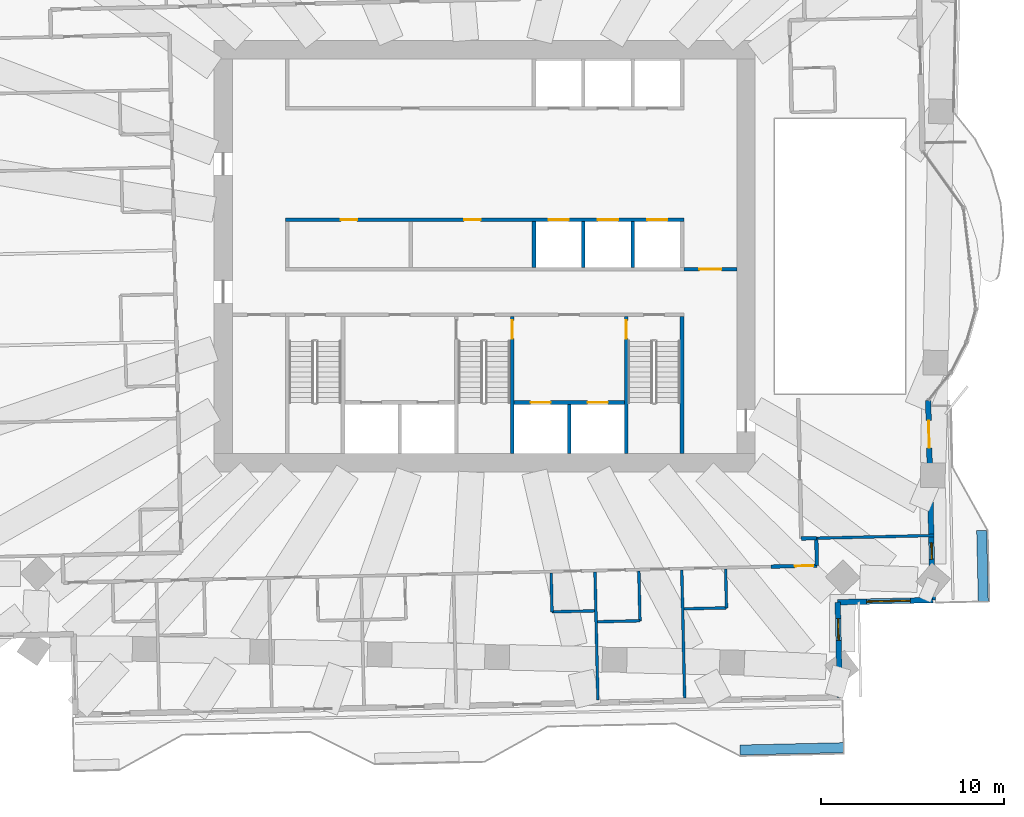
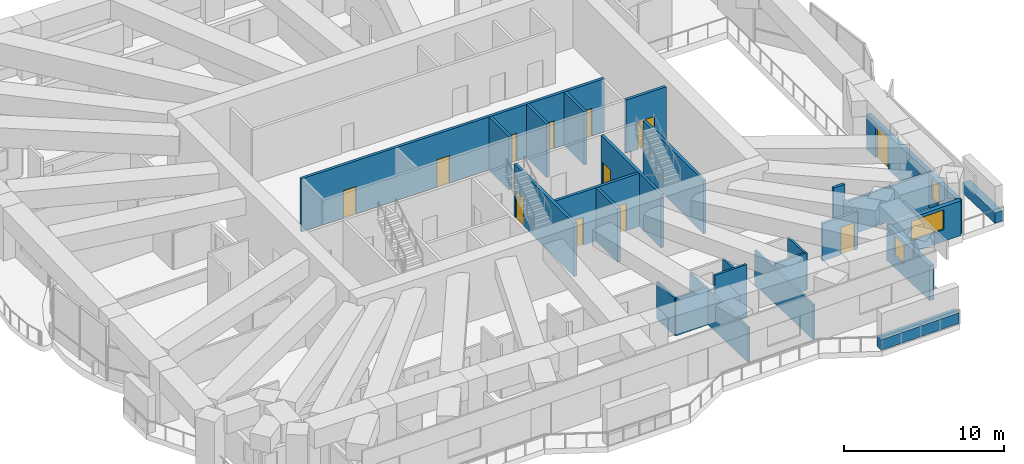
# One storey, part 12 of 21: 27 walls, 12 doors, 3 windows, 15 openings.
"""IFC4 building model written with IfcOpenShell, lengths in metres."""

from ifc_helpers import new_model, si_unit, direction, frame, frame_2d, origin, place, context, subcontext, project, spatial, rectangle, extrude, material, layer, layer_set, type_object, element, fill, save


model = new_model("IFC4")

# Units and contexts
model_context = context("Model", 3, precision=1e-05, world=origin(), true_north=direction((0.0, 1.0)))
body_context = subcontext(model_context, "Body", "Model", "MODEL_VIEW")
ifc_project = project(units=[si_unit("LENGTHUNIT", "METRE"), si_unit("AREAUNIT", "SQUARE_METRE"), si_unit("VOLUMEUNIT", "CUBIC_METRE"), si_unit("PLANEANGLEUNIT", "RADIAN"), si_unit("MASSUNIT", "GRAM", prefix="KILO")], contexts=[model_context])

# Site, building, storey
site_placement = place(None, origin())
site = spatial("IfcSite", under=ifc_project, at=site_placement, CompositionType="ELEMENT")
building_placement = place(site_placement, origin())
building = spatial("IfcBuilding", under=site, at=building_placement, Name="Mangrove Gate Tower", CompositionType="ELEMENT")
storey_placement = place(building_placement, frame((0.0, 0.0, 125.5)))
storey = spatial("IfcBuildingStorey", under=building, at=storey_placement, Name="L31", CompositionType="ELEMENT", Elevation=125.5)

# Wall, opening, door
ifc_material_1 = material(Name="Concrete C32/40", Category="concrete")
ifc_layer_1 = layer(ifc_material_1, 0.199951171875)
ifc_layer_set_1 = layer_set([ifc_layer_1], Name="Core lobby wall 200 C32/40")
wall_type_1 = type_object("IfcWallType", Name="Core lobby wall 200 C32/40", PredefinedType="STANDARD", material=ifc_layer_set_1)
wall_1_placement = place(storey_placement, frame((10.89990234375, -0.699951171875, 0.0), z_axis=(0.0, 0.0, 1.0), x_axis=(1.0, 0.0, 0.0)))
wall_1 = element("IfcWall", 1, at=wall_1_placement, inside=storey, type_object=wall_type_1, Name="WALL-L31-CORE-31", PredefinedType="STANDARD", context=body_context, shape_type="SweptSolid", body=[
    extrude(rectangle(XDim=2.900146484375, YDim=0.199951171875, at=frame_2d((1.4501953125, 0.0))), origin(), (0.0, 0.0, 1.0), 4.050048828125),
])
opening_1_placement = place(wall_1_placement, frame((0.85009765625, 0.0, 0.0)))
opening_1 = element("IfcOpeningElement", 2, at=opening_1_placement, cuts=wall_1, Name="Opening FL12", PredefinedType="OPENING", context=body_context, shape_type="SweptSolid", body=[
    extrude(rectangle(XDim=1.199951171875, YDim=2.10009765625, at=frame_2d((0.60009765625, 1.050048828125))), frame((0.0, 0.10986328125, 0.0), z_axis=(0.0, -1.0, 0.0), x_axis=(1.0, 0.0, 0.0)), (0.0, 0.0, 1.0), 0.219970703125),
])
ifc_material_2 = material(Name="Fire-rated steel door set", Category="steel")
door_type_1 = type_object("IfcDoorType", Name="Lobby door FD60 1200x2100", OperationType="SINGLE_SWING_LEFT", PredefinedType="DOOR", material=ifc_material_2)
door_1_placement = place(opening_1_placement, origin())
door_1 = element("IfcDoor", 3, at=door_1_placement, inside=storey, type_object=door_type_1, Name="Lobby door core corridor E partition", OperationType="SINGLE_SWING_LEFT", OverallHeight=2.10009765625, OverallWidth=1.199951171875, PredefinedType="DOOR", context=body_context, shape_type="SweptSolid", body=[
    extrude(rectangle(XDim=1.199951171875, YDim=2.10009765625, at=frame_2d((0.60009765625, 1.050048828125))), frame((0.0, 0.02490234375, 0.0), z_axis=(0.0, -1.0, 0.0), x_axis=(1.0, 0.0, 0.0)), (0.0, 0.0, 1.0), 0.050048828125),
])
fill(opening_1, door_1)

# Wall, openings, doors
ifc_material_3 = material(Name="Concrete C70/85", Category="concrete")
ifc_layer_2 = layer(ifc_material_3, 0.199951171875)
ifc_layer_set_2 = layer_set([ifc_layer_2], Name="Core shaft wall 200 C70/85")
wall_type_2 = type_object("IfcWallType", Name="Core shaft wall 200 C70/85", PredefinedType="SHEAR", material=ifc_layer_set_2)
wall_2_placement = place(storey_placement, frame((-10.89990234375, 2.0, 0.0), z_axis=(0.0, 0.0, 1.0), x_axis=(1.0, 0.0, 0.0)))
wall_2 = element("IfcWall", 4, at=wall_2_placement, inside=storey, type_object=wall_type_2, Name="WALL-L31-CORE-7", PredefinedType="SHEAR", context=body_context, shape_type="SweptSolid", body=[
    extrude(rectangle(XDim=21.7998046875, YDim=0.199951171875, at=frame_2d((10.89990234375, 0.0))), origin(), (0.0, 0.0, 1.0), 4.050048828125),
])
opening_2_placement = place(wall_2_placement, frame((14.39990234375, 0.0, 0.0)))
opening_2 = element("IfcOpeningElement", 5, at=opening_2_placement, cuts=wall_2, Name="Opening LD", PredefinedType="OPENING", context=body_context, shape_type="SweptSolid", body=[
    extrude(rectangle(XDim=1.10009765625, YDim=2.10009765625, at=frame_2d((0.550048828125, 1.050048828125))), frame((0.0, 0.10986328125, 0.0), z_axis=(0.0, -1.0, 0.0), x_axis=(1.0, 0.0, 0.0)), (0.0, 0.0, 1.0), 0.219970703125),
])
opening_3_placement = place(wall_2_placement, frame((17.10009765625, 0.0, 0.0)))
opening_3 = element("IfcOpeningElement", 6, at=opening_3_placement, cuts=wall_2, Name="Opening LD", PredefinedType="OPENING", context=body_context, shape_type="SweptSolid", body=[
    extrude(rectangle(XDim=1.10009765625, YDim=2.10009765625, at=frame_2d((0.550048828125, 1.050048828125))), frame((0.0, 0.10986328125, 0.0), z_axis=(0.0, -1.0, 0.0), x_axis=(1.0, 0.0, 0.0)), (0.0, 0.0, 1.0), 0.219970703125),
])
opening_4_placement = place(wall_2_placement, frame((19.800048828125, 0.0, 0.0)))
opening_4 = element("IfcOpeningElement", 7, at=opening_4_placement, cuts=wall_2, Name="Opening LD", PredefinedType="OPENING", context=body_context, shape_type="SweptSolid", body=[
    extrude(rectangle(XDim=1.10009765625, YDim=2.10009765625, at=frame_2d((0.550048828125, 1.050048828125))), frame((0.0, 0.10986328125, 0.0), z_axis=(0.0, -1.0, 0.0), x_axis=(1.0, 0.0, 0.0)), (0.0, 0.0, 1.0), 0.219970703125),
])
opening_5_placement = place(wall_2_placement, frame((3.02490234375, 0.0, 0.0)))
opening_5 = element("IfcOpeningElement", 8, at=opening_5_placement, cuts=wall_2, Name="Opening KD", PredefinedType="OPENING", context=body_context, shape_type="SweptSolid", body=[
    extrude(rectangle(XDim=0.89990234375, YDim=2.10009765625, at=frame_2d((0.449951171875, 1.050048828125))), frame((0.0, 0.10986328125, 0.0), z_axis=(0.0, -1.0, 0.0), x_axis=(1.0, 0.0, 0.0)), (0.0, 0.0, 1.0), 0.219970703125),
])
opening_6_placement = place(wall_2_placement, frame((9.77490234375, 0.0, 0.0)))
opening_6 = element("IfcOpeningElement", 9, at=opening_6_placement, cuts=wall_2, Name="Opening RD", PredefinedType="OPENING", context=body_context, shape_type="SweptSolid", body=[
    extrude(rectangle(XDim=0.89990234375, YDim=2.10009765625, at=frame_2d((0.449951171875, 1.050048828125))), frame((0.0, 0.10986328125, 0.0), z_axis=(0.0, -1.0, 0.0), x_axis=(1.0, 0.0, 0.0)), (0.0, 0.0, 1.0), 0.219970703125),
])
ifc_material_4 = material(Name="Fire-rated steel door set", Category="steel")
door_type_2 = type_object("IfcDoorType", Name="Core room door FD30S 900x2100", OperationType="SINGLE_SWING_RIGHT", PredefinedType="DOOR", material=ifc_material_4)
door_2_placement = place(opening_5_placement, origin())
door_2 = element("IfcDoor", 10, at=door_2_placement, inside=storey, type_object=door_type_2, Name="Core room door Linen store", OperationType="SINGLE_SWING_RIGHT", OverallHeight=2.10009765625, OverallWidth=0.89990234375, PredefinedType="DOOR", context=body_context, shape_type="SweptSolid", body=[
    extrude(rectangle(XDim=0.89990234375, YDim=2.10009765625, at=frame_2d((0.449951171875, 1.050048828125))), frame((0.0, 0.02490234375, 0.0), z_axis=(0.0, -1.0, 0.0), x_axis=(1.0, 0.0, 0.0)), (0.0, 0.0, 1.0), 0.050048828125),
])
fill(opening_5, door_2)
ifc_material_5 = material(Name="Stainless steel 316", Category="steel")
door_type_3 = type_object("IfcDoorType", Name="Lift landing door 1100x2100", OperationType="SLIDING_TO_LEFT", PredefinedType="DOOR", material=ifc_material_5)
door_3_placement = place(opening_2_placement, origin())
door_3 = element("IfcDoor", 11, at=door_3_placement, inside=storey, type_object=door_type_3, Name="Landing door LD M01", OperationType="SLIDING_TO_LEFT", OverallHeight=2.10009765625, OverallWidth=1.10009765625, PredefinedType="DOOR", context=body_context, shape_type="SweptSolid", body=[
    extrude(rectangle(XDim=1.10009765625, YDim=2.10009765625, at=frame_2d((0.550048828125, 1.050048828125))), frame((0.0, 0.02490234375, 0.0), z_axis=(0.0, -1.0, 0.0), x_axis=(1.0, 0.0, 0.0)), (0.0, 0.0, 1.0), 0.050048828125),
])
fill(opening_2, door_3)
door_4_placement = place(opening_3_placement, origin())
door_4 = element("IfcDoor", 12, at=door_4_placement, inside=storey, type_object=door_type_3, Name="Landing door LD M02", OperationType="SLIDING_TO_LEFT", OverallHeight=2.10009765625, OverallWidth=1.10009765625, PredefinedType="DOOR", context=body_context, shape_type="SweptSolid", body=[
    extrude(rectangle(XDim=1.10009765625, YDim=2.10009765625, at=frame_2d((0.550048828125, 1.050048828125))), frame((0.0, 0.02490234375, 0.0), z_axis=(0.0, -1.0, 0.0), x_axis=(1.0, 0.0, 0.0)), (0.0, 0.0, 1.0), 0.050048828125),
])
fill(opening_3, door_4)
door_5_placement = place(opening_4_placement, origin())
door_5 = element("IfcDoor", 13, at=door_5_placement, inside=storey, type_object=door_type_3, Name="Landing door LD M03", OperationType="SLIDING_TO_LEFT", OverallHeight=2.10009765625, OverallWidth=1.10009765625, PredefinedType="DOOR", context=body_context, shape_type="SweptSolid", body=[
    extrude(rectangle(XDim=1.10009765625, YDim=2.10009765625, at=frame_2d((0.550048828125, 1.050048828125))), frame((0.0, 0.02490234375, 0.0), z_axis=(0.0, -1.0, 0.0), x_axis=(1.0, 0.0, 0.0)), (0.0, 0.0, 1.0), 0.050048828125),
])
fill(opening_4, door_5)
ifc_material_6 = material(Name="Fire-rated steel door set", Category="steel")
door_type_4 = type_object("IfcDoorType", Name="Riser door FD30S 900x2100", OperationType="SINGLE_SWING_LEFT", PredefinedType="DOOR", material=ifc_material_6)
door_6_placement = place(opening_6_placement, origin())
door_6 = element("IfcDoor", 14, at=door_6_placement, inside=storey, type_object=door_type_4, Name="Riser door Switch room", OperationType="SINGLE_SWING_LEFT", OverallHeight=2.10009765625, OverallWidth=0.89990234375, PredefinedType="DOOR", context=body_context, shape_type="SweptSolid", body=[
    extrude(rectangle(XDim=0.89990234375, YDim=2.10009765625, at=frame_2d((0.449951171875, 1.050048828125))), frame((0.0, 0.02490234375, 0.0), z_axis=(0.0, -1.0, 0.0), x_axis=(1.0, 0.0, 0.0)), (0.0, 0.0, 1.0), 0.050048828125),
])
fill(opening_6, door_6)

wall_3_placement = place(storey_placement, frame((1.60009765625, -8.0, 0.0), z_axis=(0.0, 0.0, 1.0), x_axis=(1.0, 0.0, 0.0)))
wall_3 = element("IfcWall", 15, at=wall_3_placement, inside=storey, type_object=wall_type_2, Name="WALL-L31-CORE-17", PredefinedType="SHEAR", context=body_context, shape_type="SweptSolid", body=[
    extrude(rectangle(XDim=6.0498046875, YDim=0.199951171875, at=frame_2d((3.02490234375, 0.0))), origin(), (0.0, 0.0, 1.0), 4.050048828125),
])
opening_7_placement = place(wall_3_placement, frame((0.91259765625, 0.0, 0.0)))
opening_7 = element("IfcOpeningElement", 16, at=opening_7_placement, cuts=wall_3, Name="Opening LD", PredefinedType="OPENING", context=body_context, shape_type="SweptSolid", body=[
    extrude(rectangle(XDim=1.10009765625, YDim=2.10009765625, at=frame_2d((0.550048828125, 1.050048828125))), frame((0.0, 0.10986328125, 0.0), z_axis=(0.0, -1.0, 0.0), x_axis=(1.0, 0.0, 0.0)), (0.0, 0.0, 1.0), 0.219970703125),
])
opening_8_placement = place(wall_3_placement, frame((4.03759765625, 0.0, 0.0)))
opening_8 = element("IfcOpeningElement", 17, at=opening_8_placement, cuts=wall_3, Name="Opening LD", PredefinedType="OPENING", context=body_context, shape_type="SweptSolid", body=[
    extrude(rectangle(XDim=1.10009765625, YDim=2.10009765625, at=frame_2d((0.550048828125, 1.050048828125))), frame((0.0, 0.10986328125, 0.0), z_axis=(0.0, -1.0, 0.0), x_axis=(1.0, 0.0, 0.0)), (0.0, 0.0, 1.0), 0.219970703125),
])
door_7_placement = place(opening_7_placement, origin())
door_7 = element("IfcDoor", 18, at=door_7_placement, inside=storey, type_object=door_type_3, Name="Landing door LD FFL1", OperationType="SLIDING_TO_LEFT", OverallHeight=2.10009765625, OverallWidth=1.10009765625, PredefinedType="DOOR", context=body_context, shape_type="SweptSolid", body=[
    extrude(rectangle(XDim=1.10009765625, YDim=2.10009765625, at=frame_2d((0.550048828125, 1.050048828125))), frame((0.0, 0.02490234375, 0.0), z_axis=(0.0, -1.0, 0.0), x_axis=(1.0, 0.0, 0.0)), (0.0, 0.0, 1.0), 0.050048828125),
])
fill(opening_7, door_7)
door_8_placement = place(opening_8_placement, origin())
door_8 = element("IfcDoor", 19, at=door_8_placement, inside=storey, type_object=door_type_3, Name="Landing door LD FFL2", OperationType="SLIDING_TO_LEFT", OverallHeight=2.10009765625, OverallWidth=1.10009765625, PredefinedType="DOOR", context=body_context, shape_type="SweptSolid", body=[
    extrude(rectangle(XDim=1.10009765625, YDim=2.10009765625, at=frame_2d((0.550048828125, 1.050048828125))), frame((0.0, 0.02490234375, 0.0), z_axis=(0.0, -1.0, 0.0), x_axis=(1.0, 0.0, 0.0)), (0.0, 0.0, 1.0), 0.050048828125),
])
fill(opening_8, door_8)

# Walls
wall_4_placement = place(storey_placement, frame((4.625, -10.800048828125, 0.0), z_axis=(0.0, 0.0, 1.0), x_axis=(0.0, 1.0, 0.0)))
element("IfcWall", 20, at=wall_4_placement, inside=storey, type_object=wall_type_2, Name="WALL-L31-CORE-18", PredefinedType="SHEAR", context=body_context, shape_type="SweptSolid", body=[
    extrude(rectangle(XDim=2.699951171875, YDim=0.199951171875, at=frame_2d((1.35009765625, 0.0))), origin(), (0.0, 0.0, 1.0), 4.050048828125),
])
for number, where, z_axis, x_axis, name in (
    (21, (2.699951171875, -0.60009765625, 0.0), (0.0, 0.0, 1.0), (0.0, 1.0, 0.0), "WALL-L31-CORE-21"),
    (22, (5.39990234375, -0.60009765625, 0.0), (0.0, 0.0, 1.0), (0.0, 1.0, 0.0), "WALL-L31-CORE-22"),
    (23, (8.10009765625, -0.60009765625, 0.0), (0.0, 0.0, 1.0), (0.0, 1.0, 0.0), "WALL-L31-CORE-23"),
):
    element("IfcWall", number, at=place(storey_placement, frame(where, z_axis=z_axis, x_axis=x_axis)), inside=storey, type_object=wall_type_2, Name=name, PredefinedType="SHEAR", context=body_context, shape_type="SweptSolid", body=[
        extrude(rectangle(XDim=2.5, YDim=0.199951171875, at=frame_2d((1.25, 0.0))), origin(), (0.0, 0.0, 1.0), 4.050048828125),
    ])

# Wall, opening, door
ifc_material_7 = material(Name="Concrete C70/85", Category="concrete")
ifc_layer_3 = layer(ifc_material_7, 0.199951171875)
ifc_layer_set_3 = layer_set([ifc_layer_3], Name="Core stair wall 200 C70/85")
wall_type_3 = type_object("IfcWallType", Name="Core stair wall 200 C70/85", PredefinedType="SHEAR", material=ifc_layer_set_3)
wall_5_placement = place(storey_placement, frame((1.5, -10.800048828125, 0.0), z_axis=(0.0, 0.0, 1.0), x_axis=(0.0, 1.0, 0.0)))
wall_5 = element("IfcWall", 24, at=wall_5_placement, inside=storey, type_object=wall_type_3, Name="WALL-L31-CORE-12", PredefinedType="SHEAR", context=body_context, shape_type="SweptSolid", body=[
    extrude(rectangle(XDim=7.5, YDim=0.199951171875, at=frame_2d((3.75, 0.0))), origin(), (0.0, 0.0, 1.0), 4.050048828125),
])
opening_9_placement = place(wall_5_placement, frame((6.300048828125, 0.0, 0.0)))
opening_9 = element("IfcOpeningElement", 25, at=opening_9_placement, cuts=wall_5, Name="Opening STD10", PredefinedType="OPENING", context=body_context, shape_type="SweptSolid", body=[
    extrude(rectangle(XDim=1.0, YDim=2.10009765625, at=frame_2d((0.5, 1.050048828125))), frame((0.0, 0.10986328125, 0.0), z_axis=(0.0, -1.0, 0.0), x_axis=(1.0, 0.0, 0.0)), (0.0, 0.0, 1.0), 0.219970703125),
])
ifc_material_8 = material(Name="Fire-rated steel door set", Category="steel")
door_type_5 = type_object("IfcDoorType", Name="Stair door FD60 1000x2100", OperationType="SINGLE_SWING_RIGHT", PredefinedType="DOOR", material=ifc_material_8)
door_9_placement = place(opening_9_placement, origin())
door_9 = element("IfcDoor", 26, at=door_9_placement, inside=storey, type_object=door_type_5, Name="Stair door Stair 2 from fire-fighting lobby", OperationType="SINGLE_SWING_RIGHT", OverallHeight=2.10009765625, OverallWidth=1.0, PredefinedType="DOOR", context=body_context, shape_type="SweptSolid", body=[
    extrude(rectangle(XDim=1.0, YDim=2.10009765625, at=frame_2d((0.5, 1.050048828125))), frame((0.0, 0.02490234375, 0.0), z_axis=(0.0, -1.0, 0.0), x_axis=(1.0, 0.0, 0.0)), (0.0, 0.0, 1.0), 0.050048828125),
])
fill(opening_9, door_9)

wall_6_placement = place(storey_placement, frame((7.75, -10.800048828125, 0.0), z_axis=(0.0, 0.0, 1.0), x_axis=(0.0, 1.0, 0.0)))
wall_6 = element("IfcWall", 27, at=wall_6_placement, inside=storey, type_object=wall_type_3, Name="WALL-L31-CORE-13", PredefinedType="SHEAR", context=body_context, shape_type="SweptSolid", body=[
    extrude(rectangle(XDim=7.5, YDim=0.199951171875, at=frame_2d((3.75, 0.0))), origin(), (0.0, 0.0, 1.0), 4.050048828125),
])
opening_10_placement = place(wall_6_placement, frame((6.300048828125, 0.0, 0.0)))
opening_10 = element("IfcOpeningElement", 28, at=opening_10_placement, cuts=wall_6, Name="Opening STD10", PredefinedType="OPENING", context=body_context, shape_type="SweptSolid", body=[
    extrude(rectangle(XDim=1.0, YDim=2.10009765625, at=frame_2d((0.5, 1.050048828125))), frame((0.0, 0.10986328125, 0.0), z_axis=(0.0, -1.0, 0.0), x_axis=(1.0, 0.0, 0.0)), (0.0, 0.0, 1.0), 0.219970703125),
])
door_10_placement = place(opening_10_placement, origin())
door_10 = element("IfcDoor", 29, at=door_10_placement, inside=storey, type_object=door_type_5, Name="Stair door Stair 3 from fire-fighting lobby", OperationType="SINGLE_SWING_RIGHT", OverallHeight=2.10009765625, OverallWidth=1.0, PredefinedType="DOOR", context=body_context, shape_type="SweptSolid", body=[
    extrude(rectangle(XDim=1.0, YDim=2.10009765625, at=frame_2d((0.5, 1.050048828125))), frame((0.0, 0.02490234375, 0.0), z_axis=(0.0, -1.0, 0.0), x_axis=(1.0, 0.0, 0.0)), (0.0, 0.0, 1.0), 0.050048828125),
])
fill(opening_10, door_10)

# Walls
wall_7_placement = place(storey_placement, frame((10.800048828125, -10.800048828125, 0.0), z_axis=(0.0, 0.0, 1.0), x_axis=(0.0, 1.0, 0.0)))
element("IfcWall", 30, at=wall_7_placement, inside=storey, type_object=wall_type_3, Name="WALL-L31-CORE-14", PredefinedType="SHEAR", context=body_context, shape_type="SweptSolid", body=[
    extrude(rectangle(XDim=7.5, YDim=0.199951171875, at=frame_2d((3.75, 0.0))), origin(), (0.0, 0.0, 1.0), 4.050048828125),
])
ifc_material_9 = material(Name="Gypsum board on steel stud, EI 60", Category="steel")
ifc_layer_4 = layer(ifc_material_9, 0.199951171875)
ifc_layer_set_4 = layer_set([ifc_layer_4], Name="Corridor wall EI 60")
wall_type_4 = type_object("IfcWallType", Name="Corridor wall EI 60", PredefinedType="PARTITIONING", material=ifc_layer_set_4)
wall_8_placement = place(storey_placement, frame((18.181884765625, -16.928955078125, 0.0), z_axis=(0.0, 0.0, 1.0), x_axis=(-0.022632637625, 0.99974384905, 0.0)))
element("IfcWall", 31, at=wall_8_placement, inside=storey, type_object=wall_type_4, Name="WALL-L31-021", PredefinedType="PARTITIONING", context=body_context, shape_type="SweptSolid", body=[
    extrude(rectangle(XDim=1.49951171875, YDim=0.199951171875, at=frame_2d((0.749755859375, 0.0))), origin(), (0.0, 0.0, 1.0), 2.85009765625),
])

# Wall, opening, door
wall_9_placement = place(storey_placement, frame((15.657958984375, -16.98193359375, 0.0), z_axis=(0.0, 0.0, 1.0), x_axis=(0.9997461113, 0.022532486354, 0.0)))
wall_9 = element("IfcWall", 32, at=wall_9_placement, inside=storey, type_object=wall_type_4, Name="WALL-L31-024", PredefinedType="PARTITIONING", context=body_context, shape_type="SweptSolid", body=[
    extrude(rectangle(XDim=2.524658203125, YDim=0.199951171875, at=frame_2d((1.26220703125, 0.0))), origin(), (0.0, 0.0, 1.0), 2.85009765625),
])
opening_11_placement = place(wall_9_placement, frame((1.323974609375, 0.0, 0.0)))
opening_11 = element("IfcOpeningElement", 33, at=opening_11_placement, cuts=wall_9, Name="Opening AD", PredefinedType="OPENING", context=body_context, shape_type="SweptSolid", body=[
    extrude(rectangle(XDim=1.0, YDim=2.10009765625, at=frame_2d((0.5, 1.050048828125))), frame((0.0, 0.10986328125, 0.0), z_axis=(0.0, -1.0, 0.0), x_axis=(1.0, 0.0, 0.0)), (0.0, 0.0, 1.0), 0.219970703125),
])
ifc_material_10 = material(Name="Timber door leaf", Category="wood")
door_type_6 = type_object("IfcDoorType", Name="Amenity door 1000", OperationType="SINGLE_SWING_LEFT", PredefinedType="DOOR", material=ifc_material_10)
door_11_placement = place(opening_11_placement, origin())
door_11 = element("IfcDoor", 34, at=door_11_placement, inside=storey, type_object=door_type_6, Name="DOOR-L31-LNG-c3a", OperationType="SINGLE_SWING_LEFT", OverallHeight=2.10009765625, OverallWidth=1.0, PredefinedType="DOOR", context=body_context, shape_type="SweptSolid", body=[
    extrude(rectangle(XDim=1.0, YDim=2.10009765625, at=frame_2d((0.5, 1.050048828125))), frame((0.0, 0.02490234375, 0.0), z_axis=(0.0, -1.0, 0.0), x_axis=(1.0, 0.0, 0.0)), (0.0, 0.0, 1.0), 0.050048828125),
])
fill(opening_11, door_11)

# Wall
wall_10_placement = place(storey_placement, frame((17.322998046875, -15.444091796875, 0.0), z_axis=(0.0, 0.0, 1.0), x_axis=(0.999760281873, 0.021894720586, 0.0)))
element("IfcWall", 35, at=wall_10_placement, inside=storey, type_object=wall_type_4, Name="WALL-L31-030", PredefinedType="PARTITIONING", context=body_context, shape_type="SweptSolid", body=[
    extrude(rectangle(XDim=0.8251953125, YDim=0.199951171875, at=frame_2d((0.41259765625, 0.0))), origin(), (0.0, 0.0, 1.0), 4.050048828125),
])

# Wall, openings, door, window
ifc_material_11 = material(Name="Limestone", Category="masonry")
ifc_layer_5 = layer(ifc_material_11, 0.0400390625, Name="Limestone cladding")
ifc_material_12 = material(Name="Ventilated air gap")
ifc_layer_6 = layer(ifc_material_12, 0.0400390625, Name="Ventilated cavity")
ifc_material_13 = material(Name="Mineral wool insulation")
ifc_layer_7 = layer(ifc_material_13, 0.06005859375, Name="Insulation")
ifc_material_14 = material(Name="Breather membrane")
ifc_layer_8 = layer(ifc_material_14, 0.001953125, Name="Breather membrane")
ifc_material_15 = material(Name="Concrete C20/25 blockwork", Category="masonry")
ifc_layer_9 = layer(ifc_material_15, 0.14990234375, Name="Blockwork backing wall")
ifc_material_16 = material(Name="Gypsum plaster")
ifc_layer_10 = layer(ifc_material_16, 0.008056640625, Name="Internal plaster")
ifc_layer_set_5 = layer_set([ifc_layer_5, ifc_layer_6, ifc_layer_7, ifc_layer_8, ifc_layer_9, ifc_layer_10], Name="External wall 300 limestone cladding")
wall_type_5 = type_object("IfcWallType", Name="External wall 300 limestone cladding", PredefinedType="SOLIDWALL", material=ifc_layer_set_5)
wall_11_placement = place(storey_placement, frame((24.51806640625, -18.81201171875, 0.0), z_axis=(0.0, 0.0, 1.0), x_axis=(-0.02269451316, 0.999742446369, 0.0)))
wall_11 = element("IfcWall", 36, at=wall_11_placement, inside=storey, type_object=wall_type_5, Name="WALL-L31-E0", PredefinedType="SOLIDWALL", context=body_context, shape_type="SweptSolid", body=[
    extrude(rectangle(XDim=10.929931640625, YDim=0.300048828125, at=frame_2d((5.46484375, 0.0))), origin(), (0.0, 0.0, 1.0), 2.64990234375),
])
opening_12_placement = place(wall_11_placement, frame((2.23388671875, 0.0, 0.89990234375)))
opening_12 = element("IfcOpeningElement", 37, at=opening_12_placement, cuts=wall_11, Name="Opening W5", PredefinedType="OPENING", context=body_context, shape_type="SweptSolid", body=[
    extrude(rectangle(XDim=0.89990234375, YDim=1.5, at=frame_2d((0.449951171875, 0.75))), frame((0.0, 0.159912109375, 0.0), z_axis=(0.0, -1.0, 0.0), x_axis=(1.0, 0.0, 0.0)), (0.0, 0.0, 1.0), 0.320068359375),
])
opening_13_placement = place(wall_11_placement, frame((8.327880859375, 0.0, 0.0)))
opening_13 = element("IfcOpeningElement", 38, at=opening_13_placement, cuts=wall_11, Name="Opening BD1", PredefinedType="OPENING", context=body_context, shape_type="SweptSolid", body=[
    extrude(rectangle(XDim=1.5, YDim=2.39990234375, at=frame_2d((0.75, 1.199951171875))), frame((0.0, 0.159912109375, 0.0), z_axis=(0.0, -1.0, 0.0), x_axis=(1.0, 0.0, 0.0)), (0.0, 0.0, 1.0), 0.320068359375),
])
ifc_material_17 = material(Name="Aluminium frame with laminated clear glass", Category="aluminium")
door_type_7 = type_object("IfcDoorType", Name="Balcony sliding door 1500x2400", OperationType="SLIDING_TO_LEFT", PredefinedType="DOOR", material=ifc_material_17)
door_12_placement = place(opening_13_placement, origin())
door_12 = element("IfcDoor", 39, at=door_12_placement, inside=storey, type_object=door_type_7, Name="DOOR-L31-E0-2", OperationType="SLIDING_TO_LEFT", OverallHeight=2.39990234375, OverallWidth=1.5, PredefinedType="DOOR", context=body_context, shape_type="SweptSolid", body=[
    extrude(rectangle(XDim=1.5, YDim=2.39990234375, at=frame_2d((0.75, 1.199951171875))), frame((0.0, 0.02490234375, 0.0), z_axis=(0.0, -1.0, 0.0), x_axis=(1.0, 0.0, 0.0)), (0.0, 0.0, 1.0), 0.050048828125),
])
fill(opening_13, door_12)
ifc_material_18 = material(Name="Aluminium frame with double-glazed low-e glass", Category="aluminium")
window_type_1 = type_object("IfcWindowType", Name="Narrow window 900x1500", PartitioningType="SINGLE_PANEL", PredefinedType="WINDOW", material=ifc_material_18)
window_1_placement = place(opening_12_placement, origin())
window_1 = element("IfcWindow", 40, at=window_1_placement, inside=storey, type_object=window_type_1, Name="WIN-L31-E0-1", OverallHeight=1.5, OverallWidth=0.89990234375, PartitioningType="SINGLE_PANEL", PredefinedType="WINDOW", context=body_context, shape_type="SweptSolid", body=[
    extrude(rectangle(XDim=0.89990234375, YDim=1.5, at=frame_2d((0.449951171875, 0.75))), frame((0.0, 0.030029296875, 0.0), z_axis=(0.0, -1.0, 0.0), x_axis=(1.0, 0.0, 0.0)), (0.0, 0.0, 1.0), 0.06005859375),
])
fill(opening_12, window_1)

# Wall, opening, window
wall_12_placement = place(storey_placement, frame((19.43701171875, -24.12890625, 0.0), z_axis=(0.0, 0.0, 1.0), x_axis=(-0.022675548694, 0.99974287669, 0.0)))
wall_12 = element("IfcWall", 41, at=wall_12_placement, inside=storey, type_object=wall_type_5, Name="WALL-L31-E14", PredefinedType="SOLIDWALL", context=body_context, shape_type="SweptSolid", body=[
    extrude(rectangle(XDim=5.2001953125, YDim=0.300048828125, at=frame_2d((2.60009765625, 0.0))), origin(), (0.0, 0.0, 1.0), 2.64990234375),
])
opening_14_placement = place(wall_12_placement, frame((3.10693359375, 0.0, 0.89990234375)))
opening_14 = element("IfcOpeningElement", 42, at=opening_14_placement, cuts=wall_12, Name="Opening W1", PredefinedType="OPENING", context=body_context, shape_type="SweptSolid", body=[
    extrude(rectangle(XDim=1.199951171875, YDim=1.5, at=frame_2d((0.60009765625, 0.75))), frame((0.0, 0.159912109375, 0.0), z_axis=(0.0, -1.0, 0.0), x_axis=(1.0, 0.0, 0.0)), (0.0, 0.0, 1.0), 0.320068359375),
])
ifc_material_19 = material(Name="Aluminium frame with double-glazed low-e glass", Category="aluminium")
window_type_2 = type_object("IfcWindowType", Name="Side lite 1200x1500", PartitioningType="SINGLE_PANEL", PredefinedType="WINDOW", material=ifc_material_19)
window_2_placement = place(opening_14_placement, origin())
window_2 = element("IfcWindow", 43, at=window_2_placement, inside=storey, type_object=window_type_2, Name="WIN-L31-E14-1", OverallHeight=1.5, OverallWidth=1.199951171875, PartitioningType="SINGLE_PANEL", PredefinedType="WINDOW", context=body_context, shape_type="SweptSolid", body=[
    extrude(rectangle(XDim=1.199951171875, YDim=1.5, at=frame_2d((0.60009765625, 0.75))), frame((0.0, 0.030029296875, 0.0), z_axis=(0.0, -1.0, 0.0), x_axis=(1.0, 0.0, 0.0)), (0.0, 0.0, 1.0), 0.06005859375),
])
fill(opening_14, window_2)

wall_13_placement = place(storey_placement, frame((19.319091796875, -18.929931640625, 0.0), z_axis=(0.0, 0.0, 1.0), x_axis=(0.99974287669, 0.022675548694, 0.0)))
wall_13 = element("IfcWall", 44, at=wall_13_placement, inside=storey, type_object=wall_type_5, Name="WALL-L31-S15", PredefinedType="SOLIDWALL", context=body_context, shape_type="SweptSolid", body=[
    extrude(rectangle(XDim=5.2001953125, YDim=0.300048828125, at=frame_2d((2.60009765625, 0.0))), origin(), (0.0, 0.0, 1.0), 2.64990234375),
])
opening_15_placement = place(wall_13_placement, frame((1.5810546875, 0.0, 0.89990234375)))
opening_15 = element("IfcOpeningElement", 45, at=opening_15_placement, cuts=wall_13, Name="Opening W2", PredefinedType="OPENING", context=body_context, shape_type="SweptSolid", body=[
    extrude(rectangle(XDim=2.39990234375, YDim=1.5, at=frame_2d((1.199951171875, 0.75))), frame((0.0, 0.159912109375, 0.0), z_axis=(0.0, -1.0, 0.0), x_axis=(1.0, 0.0, 0.0)), (0.0, 0.0, 1.0), 0.320068359375),
])
ifc_material_20 = material(Name="Aluminium frame with double-glazed low-e glass", Category="aluminium")
window_type_3 = type_object("IfcWindowType", Name="Corner room window 2400x1500", PartitioningType="DOUBLE_PANEL_VERTICAL", PredefinedType="WINDOW", material=ifc_material_20)
window_3_placement = place(opening_15_placement, origin())
window_3 = element("IfcWindow", 46, at=window_3_placement, inside=storey, type_object=window_type_3, Name="WIN-L31-S15-1", OverallHeight=1.5, OverallWidth=2.39990234375, PartitioningType="DOUBLE_PANEL_VERTICAL", PredefinedType="WINDOW", context=body_context, shape_type="SweptSolid", body=[
    extrude(rectangle(XDim=2.39990234375, YDim=1.5, at=frame_2d((1.199951171875, 0.75))), frame((0.0, 0.030029296875, 0.0), z_axis=(0.0, -1.0, 0.0), x_axis=(1.0, 0.0, 0.0)), (0.0, 0.0, 1.0), 0.06005859375),
])
fill(opening_15, window_3)

# Walls
ifc_material_21 = material(Name="Gypsum board on steel stud, EI 60", Category="steel")
ifc_layer_11 = layer(ifc_material_21, 0.14990234375)
ifc_layer_set_6 = layer_set([ifc_layer_11], Name="Party wall 150 EI 60")
wall_type_6 = type_object("IfcWallType", Name="Party wall 150 EI 60", PredefinedType="PARTITIONING", material=ifc_layer_set_6)
wall_14_placement = place(storey_placement, frame((6.195068359375, -24.279052734375, 0.0), z_axis=(0.0, 0.0, 1.0), x_axis=(-0.022562972274, 0.999745423737, 0.0)))
element("IfcWall", 47, at=wall_14_placement, inside=storey, type_object=wall_type_6, Name="WALL-L31-005", PredefinedType="PARTITIONING", context=body_context, shape_type="SweptSolid", body=[
    extrude(rectangle(XDim=7.000732421875, YDim=0.14990234375, at=frame_2d((3.50048828125, 0.0))), origin(), (0.0, 0.0, 1.0), 2.64990234375),
])
wall_15_placement = place(storey_placement, frame((10.944091796875, -24.172119140625, 0.0), z_axis=(0.0, 0.0, 1.0), x_axis=(-0.022734078158, 0.999741547446, 0.0)))
element("IfcWall", 48, at=wall_15_placement, inside=storey, type_object=wall_type_6, Name="WALL-L31-006", PredefinedType="PARTITIONING", context=body_context, shape_type="SweptSolid", body=[
    extrude(rectangle(XDim=7.001708984375, YDim=0.14990234375, at=frame_2d((3.5009765625, 0.0))), origin(), (0.0, 0.0, 1.0), 2.64990234375),
])
wall_16_placement = place(storey_placement, frame((8.498046875, -19.949951171875, 0.0), z_axis=(0.0, 0.0, 1.0), x_axis=(-0.022751926344, 0.99974114142, 0.0)))
element("IfcWall", 49, at=wall_16_placement, inside=storey, type_object=wall_type_6, Name="WALL-L31-009", PredefinedType="PARTITIONING", context=body_context, shape_type="SweptSolid", body=[
    extrude(rectangle(XDim=2.7255859375, YDim=0.14990234375, at=frame_2d((1.36279296875, 0.0))), origin(), (0.0, 0.0, 1.0), 2.85009765625),
])
wall_17_placement = place(storey_placement, frame((6.1708984375, -19.998046875, 0.0), z_axis=(0.0, 0.0, 1.0), x_axis=(0.999750007167, 0.022358961731, 0.0)))
element("IfcWall", 50, at=wall_17_placement, inside=storey, type_object=wall_type_6, Name="WALL-L31-010", PredefinedType="PARTITIONING", context=body_context, shape_type="SweptSolid", body=[
    extrude(rectangle(XDim=2.32568359375, YDim=0.14990234375, at=frame_2d((1.162841796875, 0.0))), origin(), (0.0, 0.0, 1.0), 4.050048828125),
])
wall_18_placement = place(storey_placement, frame((3.68505859375, -19.458984375, 0.0), z_axis=(0.0, 0.0, 1.0), x_axis=(-0.022627477169, 0.999743965862, 0.0)))
element("IfcWall", 51, at=wall_18_placement, inside=storey, type_object=wall_type_6, Name="WALL-L31-015", PredefinedType="PARTITIONING", context=body_context, shape_type="SweptSolid", body=[
    extrude(rectangle(XDim=2.12548828125, YDim=0.14990234375, at=frame_2d((1.062744140625, 0.0))), origin(), (0.0, 0.0, 1.0), 2.85009765625),
])
wall_19_placement = place(storey_placement, frame((13.23291015625, -19.241943359375, 0.0), z_axis=(0.0, 0.0, 1.0), x_axis=(-0.022523020646, 0.999746324595, 0.0)))
element("IfcWall", 52, at=wall_19_placement, inside=storey, type_object=wall_type_6, Name="WALL-L31-016", PredefinedType="PARTITIONING", context=body_context, shape_type="SweptSolid", body=[
    extrude(rectangle(XDim=2.12451171875, YDim=0.14990234375, at=frame_2d((1.062255859375, 0.0))), origin(), (0.0, 0.0, 1.0), 2.75),
])
for number, where, z_axis, x_axis, name in (
    (53, (3.68310546875, -19.455078125, 0.0), (0.0, 0.0, 1.0), (0.999740478815, 0.022781023197, 0.0), "WALL-L31-018"),
    (54, (10.906005859375, -19.291015625, 0.0), (0.0, 0.0, 1.0), (0.999740478815, 0.022781023197, 0.0), "WALL-L31-019"),
):
    element("IfcWall", number, at=place(storey_placement, frame(where, z_axis=z_axis, x_axis=x_axis)), inside=storey, type_object=wall_type_6, Name=name, PredefinedType="PARTITIONING", context=body_context, shape_type="SweptSolid", body=[
        extrude(rectangle(XDim=2.325439453125, YDim=0.14990234375, at=frame_2d((1.16259765625, 0.0))), origin(), (0.0, 0.0, 1.0), 2.85009765625),
    ])
wall_20_placement = place(storey_placement, frame((18.14794921875, -15.426025390625, 0.0), z_axis=(0.0, 0.0, 1.0), x_axis=(0.999739678733, 0.022816107612, 0.0)))
element("IfcWall", 55, at=wall_20_placement, inside=storey, type_object=wall_type_6, Name="WALL-L31-031", PredefinedType="PARTITIONING", context=body_context, shape_type="SweptSolid", body=[
    extrude(rectangle(XDim=6.441650390625, YDim=0.14990234375, at=frame_2d((3.220703125, 0.0))), origin(), (0.0, 0.0, 1.0), 2.64990234375),
])
ifc_material_22 = material(Name="Concrete C32/40", Category="concrete")
ifc_layer_12 = layer(ifc_material_22, 0.199951171875, Name="Planter trough wall")
ifc_material_23 = material(Name="Bituminous waterproofing membrane")
ifc_layer_13 = layer(ifc_material_23, 0.0048828125, Name="Waterproofing")
ifc_material_24 = material(Name="Drainage board and gravel")
ifc_layer_14 = layer(ifc_material_24, 0.044921875, Name="Drainage layer")
ifc_material_25 = material(Name="Planting soil")
ifc_layer_15 = layer(ifc_material_25, 0.300048828125, Name="Growing medium")
ifc_layer_set_7 = layer_set([ifc_layer_12, ifc_layer_13, ifc_layer_14, ifc_layer_15], Name="Planter wall 550 C32/40")
wall_type_7 = type_object("IfcWallType", Name="Planter wall 550 C32/40", PredefinedType="USERDEFINED", material=ifc_layer_set_7)
wall_21_placement = place(storey_placement, frame((27.285888671875, -18.89892578125, 0.0), z_axis=(0.0, 0.0, 1.0), x_axis=(-0.022786818173, 0.999740346749, 0.0)))
element("IfcWall", 56, at=wall_21_placement, inside=storey, type_object=wall_type_7, Name="PLANTER L31 E0.1", ObjectType="PLANTER", PredefinedType="USERDEFINED", context=body_context, shape_type="SweptSolid", body=[
    extrude(rectangle(XDim=3.89990234375, YDim=0.550048828125, at=frame_2d((1.949951171875, 0.0))), origin(), (0.0, 0.0, 1.0), 0.800048828125),
])
wall_22_placement = place(storey_placement, frame((13.97998046875, -27.01806640625, 0.0), z_axis=(0.0, 0.0, 1.0), x_axis=(0.999740678608, 0.022772253659, 0.0)))
element("IfcWall", 57, at=wall_22_placement, inside=storey, type_object=wall_type_7, Name="PLANTER L31 S1.1", ObjectType="PLANTER", PredefinedType="USERDEFINED", context=body_context, shape_type="SweptSolid", body=[
    extrude(rectangle(XDim=5.67138671875, YDim=0.550048828125, at=frame_2d((2.835693359375, 0.0))), origin(), (0.0, 0.0, 1.0), 0.800048828125),
])

save(model, "model.ifc")
